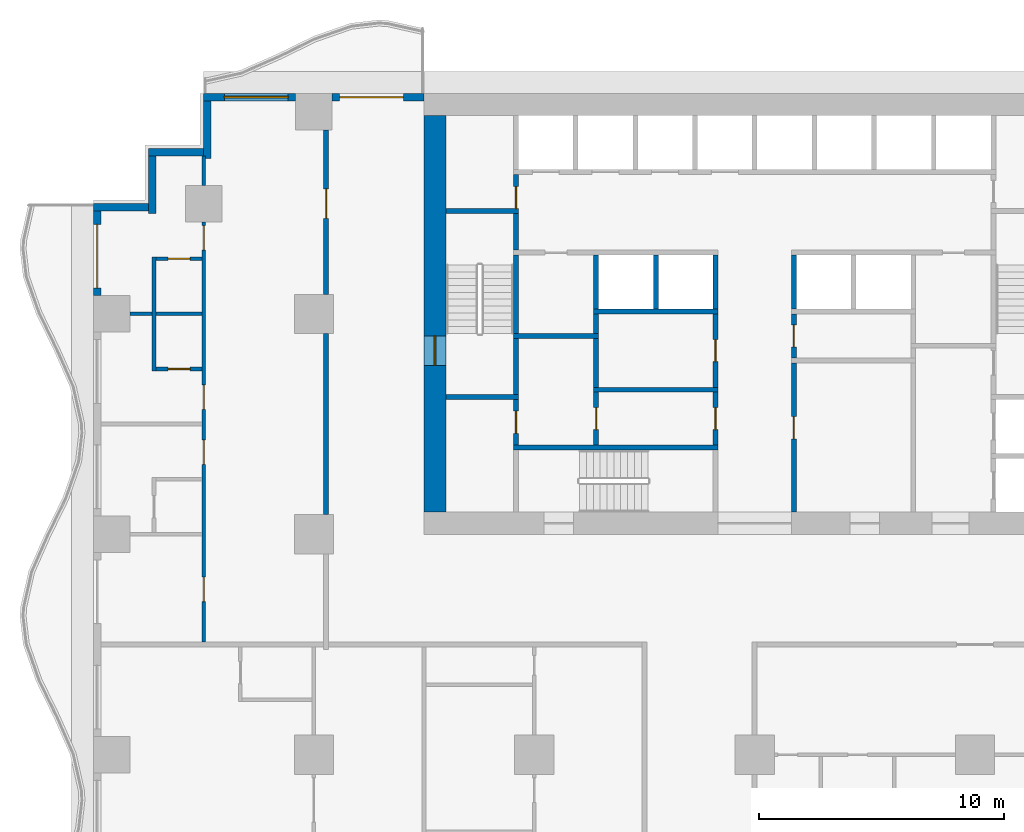
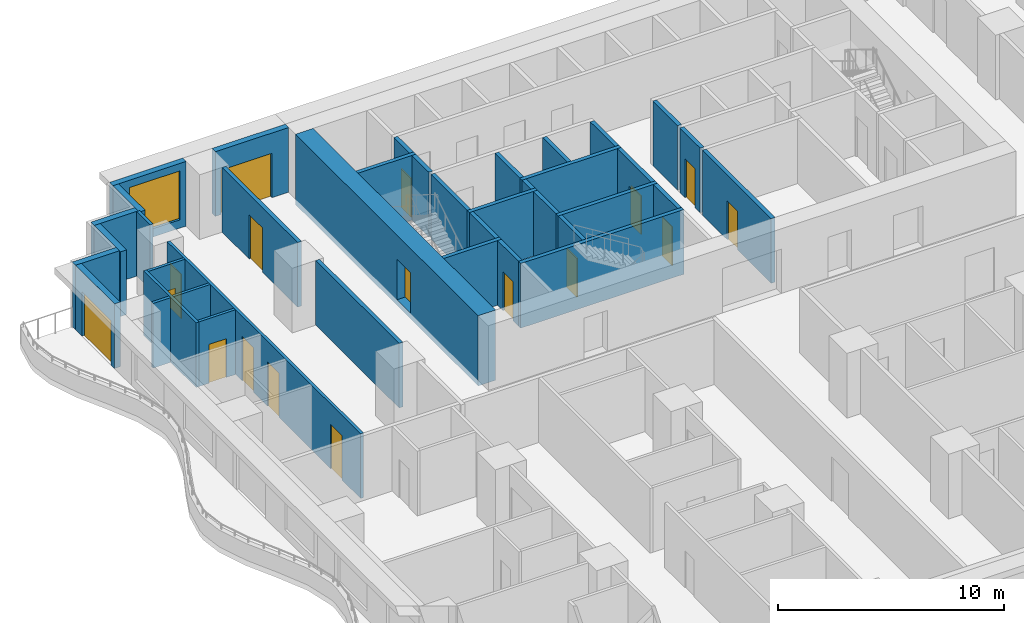
# One storey, part 5 of 14: 39 walls, 17 doors, 1 window, 18 openings.
"""IFC4 building model written with IfcOpenShell, lengths in metres."""

from ifc_helpers import new_model, si_unit, direction, frame, frame_2d, origin, place, context, subcontext, project, spatial, rectangle, extrude, material, layer, layer_set, type_object, element, fill, save


model = new_model("IFC4")

# Units and contexts
model_context = context("Model", 3, precision=1e-05, world=origin(), true_north=direction((0.0, 1.0)))
body_context = subcontext(model_context, "Body", "Model", "MODEL_VIEW")
ifc_project = project(units=[si_unit("LENGTHUNIT", "METRE"), si_unit("AREAUNIT", "SQUARE_METRE"), si_unit("VOLUMEUNIT", "CUBIC_METRE"), si_unit("PLANEANGLEUNIT", "RADIAN"), si_unit("MASSUNIT", "GRAM", prefix="KILO")], contexts=[model_context])

# Site, building, storey
site_placement = place(None, origin())
site = spatial("IfcSite", under=ifc_project, at=site_placement, CompositionType="ELEMENT")
building_placement = place(site_placement, origin())
building = spatial("IfcBuilding", under=site, at=building_placement, Name="Orbiselva Terraces", CompositionType="ELEMENT")
storey_placement = place(building_placement, frame((0.0, 0.0, 18.8)))
storey = spatial("IfcBuildingStorey", under=building, at=storey_placement, Name="L04", CompositionType="ELEMENT", Elevation=18.8)

# Wall, opening, door
ifc_material_1 = material(Name="Concrete C80/95", Category="concrete")
ifc_layer_1 = layer(ifc_material_1, 0.9)
ifc_layer_set_1 = layer_set([ifc_layer_1], Name="Concrete C80/95")
wall_type_1 = type_object("IfcWallType", Name="CORE WALL 900", PredefinedType="SHEAR", material=ifc_layer_set_1)
wall_1_placement = place(storey_placement, frame((-13.05, 21.6, -0.3), z_axis=(0.0, 0.0, 1.0), x_axis=(0.0, -1.0, 0.0)))
wall_1 = element("IfcWall", 1, at=wall_1_placement, inside=storey, type_object=wall_type_1, Name="Core wall L04 west", PredefinedType="SHEAR", context=body_context, shape_type="SweptSolid", body=[
    extrude(rectangle(XDim=16.2, YDim=0.9, at=frame_2d((8.1, 0.0))), origin(), (0.0, 0.0, 1.0), 3.8),
])
opening_1_placement = place(wall_1_placement, frame((9.0, 0.0, 0.3)))
opening_1 = element("IfcOpeningElement", 2, at=opening_1_placement, cuts=wall_1, Name="Opening DS1200", PredefinedType="OPENING", context=body_context, shape_type="SweptSolid", body=[
    extrude(rectangle(XDim=1.2, YDim=2.2, at=frame_2d((0.6, 1.1))), frame((0.0, 0.46, 0.0), z_axis=(0.0, -1.0, 0.0), x_axis=(1.0, 0.0, 0.0)), (0.0, 0.0, 1.0), 0.92),
])
ifc_material_2 = material(Name="Steel fire door", Category="steel")
door_type_1 = type_object("IfcDoorType", Name="STAIR DOOR 1200", OperationType="NOTDEFINED", PredefinedType="DOOR", material=ifc_material_2)
door_1_placement = place(opening_1_placement, frame((1.2, 0.0, 0.0), z_axis=(0.0, 0.0, 1.0), x_axis=(-1.0, 0.0, 0.0)))
door_1 = element("IfcDoor", 3, at=door_1_placement, inside=storey, type_object=door_type_1, Name="L04 EXIT STAIR S1 door", OperationType="SINGLE_SWING_RIGHT", OverallHeight=2.2, OverallWidth=1.2, PredefinedType="DOOR", context=body_context, shape_type="SweptSolid", body=[
    extrude(rectangle(XDim=1.2, YDim=2.2, at=frame_2d((0.6, 1.1))), frame((0.0, 0.025, 0.0), z_axis=(0.0, -1.0, 0.0), x_axis=(1.0, 0.0, 0.0)), (0.0, 0.0, 1.0), 0.05),
])
fill(opening_1, door_1)

ifc_material_3 = material(Name="Masonry blockwork", Category="masonry")
ifc_layer_2 = layer(ifc_material_3, 0.2)
ifc_layer_set_2 = layer_set([ifc_layer_2], Name="Masonry blockwork")
wall_type_2 = type_object("IfcWallType", Name="CORE-WALL-PARTITION-200", PredefinedType="PARTITIONING", material=ifc_layer_set_2)
wall_2_placement = place(storey_placement, frame((-9.75, 8.15, 0.0), z_axis=(0.0, 0.0, 1.0), x_axis=(0.0, 1.0, 0.0)))
wall_2 = element("IfcWall", 4, at=wall_2_placement, inside=storey, type_object=wall_type_2, Name="L04 core wall 05", PredefinedType="PARTITIONING", context=body_context, shape_type="SweptSolid", body=[
    extrude(rectangle(XDim=1.85, YDim=0.2, at=frame_2d((0.925, 0.0))), origin(), (0.0, 0.0, 1.0), 3.5),
])
opening_2_placement = place(wall_2_placement, frame((0.475, 0.0, 0.0)))
opening_2 = element("IfcOpeningElement", 5, at=opening_2_placement, cuts=wall_2, Name="Opening DR900", PredefinedType="OPENING", context=body_context, shape_type="SweptSolid", body=[
    extrude(rectangle(XDim=0.9, YDim=2.1, at=frame_2d((0.45, 1.05))), frame((0.0, 0.11, 0.0), z_axis=(0.0, -1.0, 0.0), x_axis=(1.0, 0.0, 0.0)), (0.0, 0.0, 1.0), 0.22),
])
door_type_2 = type_object("IfcDoorType", Name="ROOM DOOR 900", OperationType="NOTDEFINED", PredefinedType="DOOR", material=ifc_material_2)
door_2_placement = place(opening_2_placement, origin())
door_2 = element("IfcDoor", 6, at=door_2_placement, inside=storey, type_object=door_type_2, Name="L04 CLEANERS STORE door", OperationType="SINGLE_SWING_RIGHT", OverallHeight=2.1, OverallWidth=0.9, PredefinedType="DOOR", context=body_context, shape_type="SweptSolid", body=[
    extrude(rectangle(XDim=0.9, YDim=2.1, at=frame_2d((0.45, 1.05))), frame((0.0, 0.025, 0.0), z_axis=(0.0, -1.0, 0.0), x_axis=(1.0, 0.0, 0.0)), (0.0, 0.0, 1.0), 0.05),
])
fill(opening_2, door_2)

wall_3_placement = place(storey_placement, frame((-9.75, 17.8, 0.0), z_axis=(0.0, 0.0, 1.0), x_axis=(0.0, 1.0, 0.0)))
wall_3 = element("IfcWall", 7, at=wall_3_placement, inside=storey, type_object=wall_type_2, Name="L04 core wall 11", PredefinedType="PARTITIONING", context=body_context, shape_type="SweptSolid", body=[
    extrude(rectangle(XDim=1.4, YDim=0.2, at=frame_2d((0.7, 0.0))), origin(), (0.0, 0.0, 1.0), 3.5),
])
opening_3_placement = place(wall_3_placement, origin())
opening_3 = element("IfcOpeningElement", 8, at=opening_3_placement, cuts=wall_3, Name="Opening DR900", PredefinedType="OPENING", context=body_context, shape_type="SweptSolid", body=[
    extrude(rectangle(XDim=0.9, YDim=2.1, at=frame_2d((0.45, 1.05))), frame((0.0, 0.11, 0.0), z_axis=(0.0, -1.0, 0.0), x_axis=(1.0, 0.0, 0.0)), (0.0, 0.0, 1.0), 0.22),
])
door_3_placement = place(opening_3_placement, origin())
door_3 = element("IfcDoor", 9, at=door_3_placement, inside=storey, type_object=door_type_2, Name="L04 ELECTRICAL RISER ROOM door", OperationType="SINGLE_SWING_LEFT", OverallHeight=2.1, OverallWidth=0.9, PredefinedType="DOOR", context=body_context, shape_type="SweptSolid", body=[
    extrude(rectangle(XDim=0.9, YDim=2.1, at=frame_2d((0.45, 1.05))), frame((0.0, 0.025, 0.0), z_axis=(0.0, -1.0, 0.0), x_axis=(1.0, 0.0, 0.0)), (0.0, 0.0, 1.0), 0.05),
])
fill(opening_3, door_3)

wall_4_placement = place(storey_placement, frame((-6.475, 8.15, 0.0), z_axis=(0.0, 0.0, 1.0), x_axis=(0.0, 1.0, 0.0)))
wall_4 = element("IfcWall", 10, at=wall_4_placement, inside=storey, type_object=wall_type_2, Name="L04 core wall 15", PredefinedType="PARTITIONING", context=body_context, shape_type="SweptSolid", body=[
    extrude(rectangle(XDim=2.15, YDim=0.2, at=frame_2d((1.075, 0.0))), origin(), (0.0, 0.0, 1.0), 3.5),
])
opening_4_placement = place(wall_4_placement, frame((0.625, 0.0, 0.0)))
opening_4 = element("IfcOpeningElement", 11, at=opening_4_placement, cuts=wall_4, Name="Opening DR900", PredefinedType="OPENING", context=body_context, shape_type="SweptSolid", body=[
    extrude(rectangle(XDim=0.9, YDim=2.1, at=frame_2d((0.45, 1.05))), frame((0.0, 0.11, 0.0), z_axis=(0.0, -1.0, 0.0), x_axis=(1.0, 0.0, 0.0)), (0.0, 0.0, 1.0), 0.22),
])
door_4_placement = place(opening_4_placement, origin())
door_4 = element("IfcDoor", 12, at=door_4_placement, inside=storey, type_object=door_type_2, Name="L04 STAFF ROOM door", OperationType="SINGLE_SWING_LEFT", OverallHeight=2.1, OverallWidth=0.9, PredefinedType="DOOR", context=body_context, shape_type="SweptSolid", body=[
    extrude(rectangle(XDim=0.9, YDim=2.1, at=frame_2d((0.45, 1.05))), frame((0.0, 0.025, 0.0), z_axis=(0.0, -1.0, 0.0), x_axis=(1.0, 0.0, 0.0)), (0.0, 0.0, 1.0), 0.05),
])
fill(opening_4, door_4)

# Walls
wall_5_placement = place(storey_placement, frame((-6.475, 10.5, 0.0), z_axis=(0.0, 0.0, 1.0), x_axis=(0.0, 1.0, 0.0)))
element("IfcWall", 13, at=wall_5_placement, inside=storey, type_object=wall_type_2, Name="L04 core wall 17", PredefinedType="PARTITIONING", context=body_context, shape_type="SweptSolid", body=[
    extrude(rectangle(XDim=2.0, YDim=0.2, at=frame_2d((1.0, 0.0))), origin(), (0.0, 0.0, 1.0), 3.5),
])
wall_6_placement = place(storey_placement, frame((-6.475, 12.7, 0.0), z_axis=(0.0, 0.0, 1.0), x_axis=(0.0, 1.0, 0.0)))
element("IfcWall", 14, at=wall_6_placement, inside=storey, type_object=wall_type_2, Name="L04 core wall 18", PredefinedType="PARTITIONING", context=body_context, shape_type="SweptSolid", body=[
    extrude(rectangle(XDim=0.8, YDim=0.2, at=frame_2d((0.4, 0.0))), origin(), (0.0, 0.0, 1.0), 3.5),
])

# Wall, opening, door
wall_7_placement = place(storey_placement, frame((-1.6, 8.15, 0.0), z_axis=(0.0, 0.0, 1.0), x_axis=(0.0, 1.0, 0.0)))
wall_7 = element("IfcWall", 15, at=wall_7_placement, inside=storey, type_object=wall_type_2, Name="L04 core wall 25", PredefinedType="PARTITIONING", context=body_context, shape_type="SweptSolid", body=[
    extrude(rectangle(XDim=2.15, YDim=0.2, at=frame_2d((1.075, 0.0))), origin(), (0.0, 0.0, 1.0), 3.5),
])
opening_5_placement = place(wall_7_placement, frame((0.625, 0.0, 0.0)))
opening_5 = element("IfcOpeningElement", 16, at=opening_5_placement, cuts=wall_7, Name="Opening DR900", PredefinedType="OPENING", context=body_context, shape_type="SweptSolid", body=[
    extrude(rectangle(XDim=0.9, YDim=2.1, at=frame_2d((0.45, 1.05))), frame((0.0, 0.11, 0.0), z_axis=(0.0, -1.0, 0.0), x_axis=(1.0, 0.0, 0.0)), (0.0, 0.0, 1.0), 0.22),
])
door_5_placement = place(opening_5_placement, origin())
door_5 = element("IfcDoor", 17, at=door_5_placement, inside=storey, type_object=door_type_2, Name="L04 SERVICE PANTRY door", OperationType="SINGLE_SWING_LEFT", OverallHeight=2.1, OverallWidth=0.9, PredefinedType="DOOR", context=body_context, shape_type="SweptSolid", body=[
    extrude(rectangle(XDim=0.9, YDim=2.1, at=frame_2d((0.45, 1.05))), frame((0.0, 0.025, 0.0), z_axis=(0.0, -1.0, 0.0), x_axis=(1.0, 0.0, 0.0)), (0.0, 0.0, 1.0), 0.05),
])
fill(opening_5, door_5)

wall_8_placement = place(storey_placement, frame((-1.6, 10.5, 0.0), z_axis=(0.0, 0.0, 1.0), x_axis=(0.0, 1.0, 0.0)))
wall_8 = element("IfcWall", 18, at=wall_8_placement, inside=storey, type_object=wall_type_2, Name="L04 core wall 26", PredefinedType="PARTITIONING", context=body_context, shape_type="SweptSolid", body=[
    extrude(rectangle(XDim=3.0, YDim=0.2, at=frame_2d((1.5, 0.0))), origin(), (0.0, 0.0, 1.0), 3.5),
])
opening_6_placement = place(wall_8_placement, frame((1.05, 0.0, 0.0)))
opening_6 = element("IfcOpeningElement", 19, at=opening_6_placement, cuts=wall_8, Name="Opening DR900", PredefinedType="OPENING", context=body_context, shape_type="SweptSolid", body=[
    extrude(rectangle(XDim=0.9, YDim=2.1, at=frame_2d((0.45, 1.05))), frame((0.0, 0.11, 0.0), z_axis=(0.0, -1.0, 0.0), x_axis=(1.0, 0.0, 0.0)), (0.0, 0.0, 1.0), 0.22),
])
door_6_placement = place(opening_6_placement, origin())
door_6 = element("IfcDoor", 20, at=door_6_placement, inside=storey, type_object=door_type_2, Name="L04 LINEN STORE door", OperationType="SINGLE_SWING_RIGHT", OverallHeight=2.1, OverallWidth=0.9, PredefinedType="DOOR", context=body_context, shape_type="SweptSolid", body=[
    extrude(rectangle(XDim=0.9, YDim=2.1, at=frame_2d((0.45, 1.05))), frame((0.0, 0.025, 0.0), z_axis=(0.0, -1.0, 0.0), x_axis=(1.0, 0.0, 0.0)), (0.0, 0.0, 1.0), 0.05),
])
fill(opening_6, door_6)

wall_9_placement = place(storey_placement, frame((1.6, 13.5, 0.0), z_axis=(0.0, 0.0, 1.0), x_axis=(0.0, -1.0, 0.0)))
wall_9 = element("IfcWall", 21, at=wall_9_placement, inside=storey, type_object=wall_type_2, Name="L04 core wall 31", PredefinedType="PARTITIONING", context=body_context, shape_type="SweptSolid", body=[
    extrude(rectangle(XDim=1.8, YDim=0.2, at=frame_2d((0.9, 0.0))), origin(), (0.0, 0.0, 1.0), 3.5),
])
opening_7_placement = place(wall_9_placement, frame((0.45, 0.0, 0.0)))
opening_7 = element("IfcOpeningElement", 22, at=opening_7_placement, cuts=wall_9, Name="Opening DR900", PredefinedType="OPENING", context=body_context, shape_type="SweptSolid", body=[
    extrude(rectangle(XDim=0.9, YDim=2.1, at=frame_2d((0.45, 1.05))), frame((0.0, 0.11, 0.0), z_axis=(0.0, -1.0, 0.0), x_axis=(1.0, 0.0, 0.0)), (0.0, 0.0, 1.0), 0.22),
])
door_7_placement = place(opening_7_placement, origin())
door_7 = element("IfcDoor", 23, at=door_7_placement, inside=storey, type_object=door_type_2, Name="L04 IT ROOM door", OperationType="SINGLE_SWING_LEFT", OverallHeight=2.1, OverallWidth=0.9, PredefinedType="DOOR", context=body_context, shape_type="SweptSolid", body=[
    extrude(rectangle(XDim=0.9, YDim=2.1, at=frame_2d((0.45, 1.05))), frame((0.0, 0.025, 0.0), z_axis=(0.0, -1.0, 0.0), x_axis=(1.0, 0.0, 0.0)), (0.0, 0.0, 1.0), 0.05),
])
fill(opening_7, door_7)

# Walls
ifc_material_4 = material(Name="Concrete C40/50", Category="concrete")
ifc_layer_3 = layer(ifc_material_4, 0.2)
ifc_layer_set_3 = layer_set([ifc_layer_3], Name="Concrete C40/50")
wall_type_3 = type_object("IfcWallType", Name="CORE-WALL-SHAFT-200", PredefinedType="PARTITIONING", material=ifc_layer_set_3)
for number, where, z_axis, x_axis, name in (
    (24, (-6.475, 13.7, 0.0), (0.0, 0.0, 1.0), (0.0, 1.0, 0.0), "L04 core wall 20"),
    (25, (-4.0375, 13.7, 0.0), (0.0, 0.0, 1.0), (0.0, 1.0, 0.0), "L04 core wall 22"),
    (26, (-1.6, 13.7, 0.0), (0.0, 0.0, 1.0), (0.0, 1.0, 0.0), "L04 core wall 27"),
    (27, (1.6, 13.7, 0.0), (0.0, 0.0, 1.0), (0.0, 1.0, 0.0), "L04 core wall 33"),
):
    element("IfcWall", number, at=place(storey_placement, frame(where, z_axis=z_axis, x_axis=x_axis)), inside=storey, type_object=wall_type_3, Name=name, PredefinedType="PARTITIONING", context=body_context, shape_type="SweptSolid", body=[
        extrude(rectangle(XDim=2.2, YDim=0.2, at=frame_2d((1.1, 0.0))), origin(), (0.0, 0.0, 1.0), 3.5),
    ])
ifc_material_5 = material(Name="Concrete C60/75", Category="concrete")
ifc_layer_4 = layer(ifc_material_5, 0.2)
ifc_layer_set_4 = layer_set([ifc_layer_4], Name="Concrete C60/75")
wall_type_4 = type_object("IfcWallType", Name="CORE-WALL-SHEAR-200", PredefinedType="SHEAR", material=ifc_layer_set_4)
for number, where, z_axis, x_axis, name in (
    (28, (-12.6, 10.1, 0.0), (0.0, 0.0, 1.0), (1.0, 0.0, 0.0), "L04 core wall 01"),
    (29, (-12.6, 17.7, 0.0), (0.0, 0.0, 1.0), (1.0, 0.0, 0.0), "L04 core wall 02"),
):
    element("IfcWall", number, at=place(storey_placement, frame(where, z_axis=z_axis, x_axis=x_axis)), inside=storey, type_object=wall_type_4, Name=name, PredefinedType="SHEAR", context=body_context, shape_type="SweptSolid", body=[
        extrude(rectangle(XDim=2.95, YDim=0.2, at=frame_2d((1.475, 0.0))), origin(), (0.0, 0.0, 1.0), 3.5),
    ])
wall_10_placement = place(storey_placement, frame((-9.85, 8.05, 0.0), z_axis=(0.0, 0.0, 1.0), x_axis=(1.0, 0.0, 0.0)))
element("IfcWall", 30, at=wall_10_placement, inside=storey, type_object=wall_type_4, Name="L04 core wall 04", PredefinedType="SHEAR", context=body_context, shape_type="SweptSolid", body=[
    extrude(rectangle(XDim=8.35, YDim=0.2, at=frame_2d((4.175, 0.0))), origin(), (0.0, 0.0, 1.0), 3.5),
])
wall_11_placement = place(storey_placement, frame((-9.75, 10.2, 0.0), z_axis=(0.0, 0.0, 1.0), x_axis=(0.0, 1.0, 0.0)))
element("IfcWall", 31, at=wall_11_placement, inside=storey, type_object=wall_type_4, Name="L04 core wall 06", PredefinedType="SHEAR", context=body_context, shape_type="SweptSolid", body=[
    extrude(rectangle(XDim=2.3, YDim=0.2, at=frame_2d((1.15, 0.0))), origin(), (0.0, 0.0, 1.0), 3.5),
])
wall_12_placement = place(storey_placement, frame((-9.85, 12.6, 0.0), z_axis=(0.0, 0.0, 1.0), x_axis=(1.0, 0.0, 0.0)))
element("IfcWall", 32, at=wall_12_placement, inside=storey, type_object=wall_type_4, Name="L04 core wall 07", PredefinedType="SHEAR", context=body_context, shape_type="SweptSolid", body=[
    extrude(rectangle(XDim=3.475, YDim=0.2, at=frame_2d((1.7375, 0.0))), origin(), (0.0, 0.0, 1.0), 3.5),
])
wall_13_placement = place(storey_placement, frame((-9.75, 12.7, 0.0), z_axis=(0.0, 0.0, 1.0), x_axis=(0.0, 1.0, 0.0)))
element("IfcWall", 33, at=wall_13_placement, inside=storey, type_object=wall_type_4, Name="L04 core wall 08", PredefinedType="SHEAR", context=body_context, shape_type="SweptSolid", body=[
    extrude(rectangle(XDim=3.2, YDim=0.2, at=frame_2d((1.6, 0.0))), origin(), (0.0, 0.0, 1.0), 3.5),
])
wall_14_placement = place(storey_placement, frame((-9.75, 16.1, 0.0), z_axis=(0.0, 0.0, 1.0), x_axis=(0.0, 1.0, 0.0)))
element("IfcWall", 34, at=wall_14_placement, inside=storey, type_object=wall_type_4, Name="L04 core wall 10", PredefinedType="SHEAR", context=body_context, shape_type="SweptSolid", body=[
    extrude(rectangle(XDim=1.5, YDim=0.2, at=frame_2d((0.75, 0.0))), origin(), (0.0, 0.0, 1.0), 3.5),
])
for number, where, z_axis, x_axis, name in (
    (35, (-6.575, 10.4, 0.0), (0.0, 0.0, 1.0), (1.0, 0.0, 0.0), "L04 core wall 16"),
    (36, (-6.575, 13.6, 0.0), (0.0, 0.0, 1.0), (1.0, 0.0, 0.0), "L04 core wall 19"),
):
    element("IfcWall", number, at=place(storey_placement, frame(where, z_axis=z_axis, x_axis=x_axis)), inside=storey, type_object=wall_type_4, Name=name, PredefinedType="SHEAR", context=body_context, shape_type="SweptSolid", body=[
        extrude(rectangle(XDim=5.075, YDim=0.2, at=frame_2d((2.5375, 0.0))), origin(), (0.0, 0.0, 1.0), 3.5),
    ])

# Wall, opening, door
wall_15_placement = place(storey_placement, frame((1.6, 11.5, 0.0), z_axis=(0.0, 0.0, 1.0), x_axis=(0.0, -1.0, 0.0)))
wall_15 = element("IfcWall", 37, at=wall_15_placement, inside=storey, type_object=wall_type_4, Name="L04 core wall 29", PredefinedType="SHEAR", context=body_context, shape_type="SweptSolid", body=[
    extrude(rectangle(XDim=6.1, YDim=0.2, at=frame_2d((3.05, 0.0))), origin(), (0.0, 0.0, 1.0), 3.5),
])
opening_8_placement = place(wall_15_placement, frame((2.2, 0.0, 0.0)))
opening_8 = element("IfcOpeningElement", 38, at=opening_8_placement, cuts=wall_15, Name="Opening DR900", PredefinedType="OPENING", context=body_context, shape_type="SweptSolid", body=[
    extrude(rectangle(XDim=0.9, YDim=2.1, at=frame_2d((0.45, 1.05))), frame((0.0, 0.11, 0.0), z_axis=(0.0, -1.0, 0.0), x_axis=(1.0, 0.0, 0.0)), (0.0, 0.0, 1.0), 0.22),
])
door_8_placement = place(opening_8_placement, origin())
door_8 = element("IfcDoor", 39, at=door_8_placement, inside=storey, type_object=door_type_2, Name="L04 SERVICE ROOM door", OperationType="SINGLE_SWING_LEFT", OverallHeight=2.1, OverallWidth=0.9, PredefinedType="DOOR", context=body_context, shape_type="SweptSolid", body=[
    extrude(rectangle(XDim=0.9, YDim=2.1, at=frame_2d((0.45, 1.05))), frame((0.0, 0.025, 0.0), z_axis=(0.0, -1.0, 0.0), x_axis=(1.0, 0.0, 0.0)), (0.0, 0.0, 1.0), 0.05),
])
fill(opening_8, door_8)

ifc_material_6 = material(Name="Terracotta cladding on masonry backing", Category="masonry")
ifc_layer_5 = layer(ifc_material_6, 0.3)
ifc_layer_set_5 = layer_set([ifc_layer_5], Name="Terracotta cladding on masonry backing")
wall_type_5 = type_object("IfcWallType", Name="ENV-WALL-TERRACOTTA-300", PredefinedType="SOLIDWALL", material=ifc_layer_set_5)
wall_16_placement = place(storey_placement, frame((-17.25, 22.35, 0.0), z_axis=(0.0, 0.0, 1.0), x_axis=(1.0, 0.0, 0.0)))
wall_16 = element("IfcWall", 40, at=wall_16_placement, inside=storey, type_object=wall_type_5, Name="Facade wall L04 NW", PredefinedType="SOLIDWALL", context=body_context, shape_type="SweptSolid", body=[
    extrude(rectangle(XDim=3.75, YDim=0.3, at=frame_2d((1.875, 0.0))), origin(), (0.0, 0.0, 1.0), 3.5),
])
opening_9_placement = place(wall_16_placement, frame((0.3, 0.0, 0.0)))
opening_9 = element("IfcOpeningElement", 41, at=opening_9_placement, cuts=wall_16, Name="Opening Z1-A-E08", PredefinedType="OPENING", context=body_context, shape_type="SweptSolid", body=[
    extrude(rectangle(XDim=2.6, YDim=2.4, at=frame_2d((1.3, 1.2))), frame((0.0, 0.16, 0.0), z_axis=(0.0, -1.0, 0.0), x_axis=(1.0, 0.0, 0.0)), (0.0, 0.0, 1.0), 0.32),
])
ifc_material_7 = material(Name="Clear low-e glazing in aluminium frame", Category="aluminium")
door_type_3 = type_object("IfcDoorType", Name="BALCONY DOOR 2600 X 2400", OperationType="DOUBLE_DOOR_SLIDING", PredefinedType="DOOR", material=ifc_material_7)
door_9_placement = place(opening_9_placement, origin())
door_9 = element("IfcDoor", 42, at=door_9_placement, inside=storey, type_object=door_type_3, Name="Z1-A-E08", OperationType="SINGLE_SWING_LEFT", OverallHeight=2.4, OverallWidth=2.6, PredefinedType="DOOR", context=body_context, shape_type="SweptSolid", body=[
    extrude(rectangle(XDim=2.6, YDim=2.4, at=frame_2d((1.3, 1.2))), frame((0.0, 0.025, 0.0), z_axis=(0.0, -1.0, 0.0), x_axis=(1.0, 0.0, 0.0)), (0.0, 0.0, 1.0), 0.05),
])
fill(opening_9, door_9)

# Wall, opening, window
wall_17_placement = place(storey_placement, frame((-22.5, 22.35, 0.0), z_axis=(0.0, 0.0, 1.0), x_axis=(1.0, 0.0, 0.0)))
wall_17 = element("IfcWall", 43, at=wall_17_placement, inside=storey, type_object=wall_type_5, Name="Facade wall L04 NW", PredefinedType="SOLIDWALL", context=body_context, shape_type="SweptSolid", body=[
    extrude(rectangle(XDim=3.75, YDim=0.3, at=frame_2d((1.875, 0.0))), origin(), (0.0, 0.0, 1.0), 3.5),
])
opening_10_placement = place(wall_17_placement, frame((0.85, 0.0, 0.45)))
opening_10 = element("IfcOpeningElement", 44, at=opening_10_placement, cuts=wall_17, Name="Opening WN1", PredefinedType="OPENING", context=body_context, shape_type="SweptSolid", body=[
    extrude(rectangle(XDim=2.6, YDim=2.65, at=frame_2d((1.3, 1.325))), frame((0.0, 0.16, 0.0), z_axis=(0.0, -1.0, 0.0), x_axis=(1.0, 0.0, 0.0)), (0.0, 0.0, 1.0), 0.32),
])
window_type = type_object("IfcWindowType", Name="WINDOW 2600 X 2650 S450", PartitioningType="TRIPLE_PANEL_VERTICAL", PredefinedType="WINDOW", material=ifc_material_7)
window_placement = place(opening_10_placement, origin())
window = element("IfcWindow", 45, at=window_placement, inside=storey, type_object=window_type, Name="Window L04 NW", OverallHeight=2.65, OverallWidth=2.6, PartitioningType="SINGLE_PANEL", PredefinedType="WINDOW", context=body_context, shape_type="SweptSolid", body=[
    extrude(rectangle(XDim=2.6, YDim=2.65, at=frame_2d((1.3, 1.325))), frame((0.0, 0.03, 0.0), z_axis=(0.0, -1.0, 0.0), x_axis=(1.0, 0.0, 0.0)), (0.0, 0.0, 1.0), 0.06),
])
fill(opening_10, window)

# Walls
wall_18_placement = place(storey_placement, frame((-22.35, 19.85, 0.0), z_axis=(0.0, 0.0, 1.0), x_axis=(0.0, 1.0, 0.0)))
element("IfcWall", 46, at=wall_18_placement, inside=storey, type_object=wall_type_5, Name="Facade wall L04 STEP", PredefinedType="SOLIDWALL", context=body_context, shape_type="SweptSolid", body=[
    extrude(rectangle(XDim=2.35, YDim=0.3, at=frame_2d((1.175, 0.0))), origin(), (0.0, 0.0, 1.0), 3.5),
])
wall_19_placement = place(storey_placement, frame((-24.75, 20.1, 0.0), z_axis=(0.0, 0.0, 1.0), x_axis=(1.0, 0.0, 0.0)))
element("IfcWall", 47, at=wall_19_placement, inside=storey, type_object=wall_type_5, Name="Facade wall L04 STEP", PredefinedType="SOLIDWALL", context=body_context, shape_type="SweptSolid", body=[
    extrude(rectangle(XDim=2.25, YDim=0.3, at=frame_2d((1.125, 0.0))), origin(), (0.0, 0.0, 1.0), 3.5),
])
wall_20_placement = place(storey_placement, frame((-24.6, 17.6, 0.0), z_axis=(0.0, 0.0, 1.0), x_axis=(0.0, 1.0, 0.0)))
element("IfcWall", 48, at=wall_20_placement, inside=storey, type_object=wall_type_5, Name="Facade wall L04 STEP", PredefinedType="SOLIDWALL", context=body_context, shape_type="SweptSolid", body=[
    extrude(rectangle(XDim=2.35, YDim=0.3, at=frame_2d((1.175, 0.0))), origin(), (0.0, 0.0, 1.0), 3.5),
])
wall_21_placement = place(storey_placement, frame((-27.0, 17.85, 0.0), z_axis=(0.0, 0.0, 1.0), x_axis=(1.0, 0.0, 0.0)))
element("IfcWall", 49, at=wall_21_placement, inside=storey, type_object=wall_type_5, Name="Facade wall L04 STEP", PredefinedType="SOLIDWALL", context=body_context, shape_type="SweptSolid", body=[
    extrude(rectangle(XDim=2.25, YDim=0.3, at=frame_2d((1.125, 0.0))), origin(), (0.0, 0.0, 1.0), 3.5),
])

# Wall, opening, door
wall_22_placement = place(storey_placement, frame((-26.85, 14.25, 0.0), z_axis=(0.0, 0.0, 1.0), x_axis=(0.0, 1.0, 0.0)))
wall_22 = element("IfcWall", 50, at=wall_22_placement, inside=storey, type_object=wall_type_5, Name="Facade wall L04 W", PredefinedType="SOLIDWALL", context=body_context, shape_type="SweptSolid", body=[
    extrude(rectangle(XDim=3.45, YDim=0.3, at=frame_2d((1.725, 0.0))), origin(), (0.0, 0.0, 1.0), 3.5),
])
opening_11_placement = place(wall_22_placement, frame((0.3, 0.0, 0.0)))
opening_11 = element("IfcOpeningElement", 51, at=opening_11_placement, cuts=wall_22, Name="Opening Z1-A-E09", PredefinedType="OPENING", context=body_context, shape_type="SweptSolid", body=[
    extrude(rectangle(XDim=2.6, YDim=2.4, at=frame_2d((1.3, 1.2))), frame((0.0, 0.16, 0.0), z_axis=(0.0, -1.0, 0.0), x_axis=(1.0, 0.0, 0.0)), (0.0, 0.0, 1.0), 0.32),
])
door_10_placement = place(opening_11_placement, origin())
door_10 = element("IfcDoor", 52, at=door_10_placement, inside=storey, type_object=door_type_3, Name="Z1-A-E09", OperationType="SINGLE_SWING_LEFT", OverallHeight=2.4, OverallWidth=2.6, PredefinedType="DOOR", context=body_context, shape_type="SweptSolid", body=[
    extrude(rectangle(XDim=2.6, YDim=2.4, at=frame_2d((1.3, 1.2))), frame((0.0, 0.025, 0.0), z_axis=(0.0, -1.0, 0.0), x_axis=(1.0, 0.0, 0.0)), (0.0, 0.0, 1.0), 0.05),
])
fill(opening_11, door_10)

# Wall
ifc_material_8 = material(Name="Plasterboard on steel stud partition", Category="steel")
ifc_layer_6 = layer(ifc_material_8, 0.2)
ifc_layer_set_6 = layer_set([ifc_layer_6], Name="Plasterboard on steel stud partition")
wall_type_6 = type_object("IfcWallType", Name="UNIT-ENTRANCE-WALL-200", PredefinedType="PARTITIONING", material=ifc_layer_set_6)
wall_23_placement = place(storey_placement, frame((-17.5, 5.3, 0.0), z_axis=(0.0, 0.0, 1.0), x_axis=(0.0, 1.0, 0.0)))
element("IfcWall", 53, at=wall_23_placement, inside=storey, type_object=wall_type_6, Name="PARTITION L04-058", PredefinedType="PARTITIONING", context=body_context, shape_type="SweptSolid", body=[
    extrude(rectangle(XDim=7.4, YDim=0.2, at=frame_2d((3.7, 0.0))), origin(), (0.0, 0.0, 1.0), 3.5),
])

# Wall, opening, door
wall_24_placement = place(storey_placement, frame((-17.5, 14.3, 0.0), z_axis=(0.0, 0.0, 1.0), x_axis=(0.0, 1.0, 0.0)))
wall_24 = element("IfcWall", 54, at=wall_24_placement, inside=storey, type_object=wall_type_6, Name="PARTITION L04-059", PredefinedType="PARTITIONING", context=body_context, shape_type="SweptSolid", body=[
    extrude(rectangle(XDim=6.7, YDim=0.2, at=frame_2d((3.35, 0.0))), origin(), (0.0, 0.0, 1.0), 3.5),
])
opening_12_placement = place(wall_24_placement, frame((3.1, 0.0, 0.0)))
opening_12 = element("IfcOpeningElement", 55, at=opening_12_placement, cuts=wall_24, Name="Opening Z1-A-01", PredefinedType="OPENING", context=body_context, shape_type="SweptSolid", body=[
    extrude(rectangle(XDim=1.2, YDim=2.4, at=frame_2d((0.6, 1.2))), frame((0.0, 0.11, 0.0), z_axis=(0.0, -1.0, 0.0), x_axis=(1.0, 0.0, 0.0)), (0.0, 0.0, 1.0), 0.22),
])
ifc_material_9 = material(Name="Painted timber door leaf", Category="wood")
door_type_4 = type_object("IfcDoorType", Name="ENTRANCE DOOR 1200", OperationType="NOTDEFINED", PredefinedType="DOOR", material=ifc_material_9)
door_11_placement = place(opening_12_placement, origin())
door_11 = element("IfcDoor", 56, at=door_11_placement, inside=storey, type_object=door_type_4, Name="Z1-A-01", OperationType="SINGLE_SWING_RIGHT", OverallHeight=2.4, OverallWidth=1.2, PredefinedType="DOOR", context=body_context, shape_type="SweptSolid", body=[
    extrude(rectangle(XDim=1.2, YDim=2.4, at=frame_2d((0.6, 1.2))), frame((0.0, 0.025, 0.0), z_axis=(0.0, -1.0, 0.0), x_axis=(1.0, 0.0, 0.0)), (0.0, 0.0, 1.0), 0.05),
])
fill(opening_12, door_11)

ifc_layer_7 = layer(ifc_material_8, 0.15)
ifc_layer_set_7 = layer_set([ifc_layer_7], Name="Plasterboard on steel stud partition")
wall_type_7 = type_object("IfcWallType", Name="UNIT-PARTITION-150", PredefinedType="PARTITIONING", material=ifc_layer_set_7)
wall_25_placement = place(storey_placement, frame((-24.45, 11.25, 0.0), z_axis=(0.0, 0.0, 1.0), x_axis=(1.0, 0.0, 0.0)))
wall_25 = element("IfcWall", 57, at=wall_25_placement, inside=storey, type_object=wall_type_7, Name="PARTITION L04-039", PredefinedType="PARTITIONING", context=body_context, shape_type="SweptSolid", body=[
    extrude(rectangle(XDim=1.875, YDim=0.15, at=frame_2d((0.9375, 0.0))), origin(), (0.0, 0.0, 1.0), 3.5),
])
opening_13_placement = place(wall_25_placement, frame((0.5, 0.0, 0.0)))
opening_13 = element("IfcOpeningElement", 58, at=opening_13_placement, cuts=wall_25, Name="Opening Z1-A-06", PredefinedType="OPENING", context=body_context, shape_type="SweptSolid", body=[
    extrude(rectangle(XDim=0.9, YDim=2.1, at=frame_2d((0.45, 1.05))), frame((0.0, 0.085, 0.0), z_axis=(0.0, -1.0, 0.0), x_axis=(1.0, 0.0, 0.0)), (0.0, 0.0, 1.0), 0.17),
])
door_type_5 = type_object("IfcDoorType", Name="BATH DOOR 900", OperationType="NOTDEFINED", PredefinedType="DOOR", material=ifc_material_9)
door_12_placement = place(opening_13_placement, origin())
door_12 = element("IfcDoor", 59, at=door_12_placement, inside=storey, type_object=door_type_5, Name="Z1-A-06", OperationType="SINGLE_SWING_RIGHT", OverallHeight=2.1, OverallWidth=0.9, PredefinedType="DOOR", context=body_context, shape_type="SweptSolid", body=[
    extrude(rectangle(XDim=0.9, YDim=2.1, at=frame_2d((0.45, 1.05))), frame((0.0, 0.025, 0.0), z_axis=(0.0, -1.0, 0.0), x_axis=(1.0, 0.0, 0.0)), (0.0, 0.0, 1.0), 0.05),
])
fill(opening_13, door_12)

# Walls
wall_26_placement = place(storey_placement, frame((-25.5, 13.5, 0.0), z_axis=(0.0, 0.0, 1.0), x_axis=(1.0, 0.0, 0.0)))
element("IfcWall", 60, at=wall_26_placement, inside=storey, type_object=wall_type_7, Name="PARTITION L04-041", PredefinedType="PARTITIONING", context=body_context, shape_type="SweptSolid", body=[
    extrude(rectangle(XDim=0.9, YDim=0.15, at=frame_2d((0.45, 0.0))), origin(), (0.0, 0.0, 1.0), 3.5),
])
wall_27_placement = place(storey_placement, frame((-24.45, 13.5, 0.0), z_axis=(0.0, 0.0, 1.0), x_axis=(1.0, 0.0, 0.0)))
element("IfcWall", 61, at=wall_27_placement, inside=storey, type_object=wall_type_7, Name="PARTITION L04-042", PredefinedType="PARTITIONING", context=body_context, shape_type="SweptSolid", body=[
    extrude(rectangle(XDim=1.875, YDim=0.15, at=frame_2d((0.9375, 0.0))), origin(), (0.0, 0.0, 1.0), 3.5),
])

# Wall, opening, door
wall_28_placement = place(storey_placement, frame((-22.575, 15.75, 0.0), z_axis=(0.0, 0.0, 1.0), x_axis=(-1.0, 0.0, 0.0)))
wall_28 = element("IfcWall", 62, at=wall_28_placement, inside=storey, type_object=wall_type_7, Name="PARTITION L04-045", PredefinedType="PARTITIONING", context=body_context, shape_type="SweptSolid", body=[
    extrude(rectangle(XDim=1.875, YDim=0.15, at=frame_2d((0.9375, 0.0))), origin(), (0.0, 0.0, 1.0), 3.5),
])
opening_14_placement = place(wall_28_placement, frame((0.475, 0.0, 0.0)))
opening_14 = element("IfcOpeningElement", 63, at=opening_14_placement, cuts=wall_28, Name="Opening Z1-A-08", PredefinedType="OPENING", context=body_context, shape_type="SweptSolid", body=[
    extrude(rectangle(XDim=0.9, YDim=2.1, at=frame_2d((0.45, 1.05))), frame((0.0, 0.085, 0.0), z_axis=(0.0, -1.0, 0.0), x_axis=(1.0, 0.0, 0.0)), (0.0, 0.0, 1.0), 0.17),
])
door_13_placement = place(opening_14_placement, origin())
door_13 = element("IfcDoor", 64, at=door_13_placement, inside=storey, type_object=door_type_5, Name="Z1-A-08", OperationType="SINGLE_SWING_LEFT", OverallHeight=2.1, OverallWidth=0.9, PredefinedType="DOOR", context=body_context, shape_type="SweptSolid", body=[
    extrude(rectangle(XDim=0.9, YDim=2.1, at=frame_2d((0.45, 1.05))), frame((0.0, 0.025, 0.0), z_axis=(0.0, -1.0, 0.0), x_axis=(1.0, 0.0, 0.0)), (0.0, 0.0, 1.0), 0.05),
])
fill(opening_14, door_13)

# Wall
wall_29_placement = place(storey_placement, frame((-24.525, 11.175, 0.0), z_axis=(0.0, 0.0, 1.0), x_axis=(0.0, 1.0, 0.0)))
element("IfcWall", 65, at=wall_29_placement, inside=storey, type_object=wall_type_7, Name="PARTITION L04-048", PredefinedType="PARTITIONING", context=body_context, shape_type="SweptSolid", body=[
    extrude(rectangle(XDim=4.65, YDim=0.15, at=frame_2d((2.325, 0.0))), origin(), (0.0, 0.0, 1.0), 3.5),
])

# Wall, openings, doors
wall_30_placement = place(storey_placement, frame((-22.5, 0.1, 0.0), z_axis=(0.0, 0.0, 1.0), x_axis=(0.0, 1.0, 0.0)))
wall_30 = element("IfcWall", 66, at=wall_30_placement, inside=storey, type_object=wall_type_7, Name="PARTITION L04-049", PredefinedType="PARTITIONING", context=body_context, shape_type="SweptSolid", body=[
    extrude(rectangle(XDim=17.15, YDim=0.15, at=frame_2d((8.575, 0.0))), origin(), (0.0, 0.0, 1.0), 3.5),
])
opening_15_placement = place(wall_30_placement, frame((1.65, 0.0, 0.0)))
opening_15 = element("IfcOpeningElement", 67, at=opening_15_placement, cuts=wall_30, Name="Opening Z1-A-02", PredefinedType="OPENING", context=body_context, shape_type="SweptSolid", body=[
    extrude(rectangle(XDim=1.0, YDim=2.4, at=frame_2d((0.5, 1.2))), frame((0.0, 0.085, 0.0), z_axis=(0.0, -1.0, 0.0), x_axis=(1.0, 0.0, 0.0)), (0.0, 0.0, 1.0), 0.17),
])
opening_16_placement = place(wall_30_placement, frame((7.25, 0.0, 0.0)))
opening_16 = element("IfcOpeningElement", 68, at=opening_16_placement, cuts=wall_30, Name="Opening Z1-A-03", PredefinedType="OPENING", context=body_context, shape_type="SweptSolid", body=[
    extrude(rectangle(XDim=1.0, YDim=2.4, at=frame_2d((0.5, 1.2))), frame((0.0, 0.085, 0.0), z_axis=(0.0, -1.0, 0.0), x_axis=(1.0, 0.0, 0.0)), (0.0, 0.0, 1.0), 0.17),
])
opening_17_placement = place(wall_30_placement, frame((9.5, 0.0, 0.0)))
opening_17 = element("IfcOpeningElement", 69, at=opening_17_placement, cuts=wall_30, Name="Opening Z1-A-05", PredefinedType="OPENING", context=body_context, shape_type="SweptSolid", body=[
    extrude(rectangle(XDim=1.0, YDim=2.4, at=frame_2d((0.5, 1.2))), frame((0.0, 0.085, 0.0), z_axis=(0.0, -1.0, 0.0), x_axis=(1.0, 0.0, 0.0)), (0.0, 0.0, 1.0), 0.17),
])
opening_18_placement = place(wall_30_placement, frame((16.0, 0.0, 0.0)))
opening_18 = element("IfcOpeningElement", 70, at=opening_18_placement, cuts=wall_30, Name="Opening Z1-A-07", PredefinedType="OPENING", context=body_context, shape_type="SweptSolid", body=[
    extrude(rectangle(XDim=1.0, YDim=2.4, at=frame_2d((0.5, 1.2))), frame((0.0, 0.085, 0.0), z_axis=(0.0, -1.0, 0.0), x_axis=(1.0, 0.0, 0.0)), (0.0, 0.0, 1.0), 0.17),
])
door_type_6 = type_object("IfcDoorType", Name="ROOM DOOR 1000", OperationType="NOTDEFINED", PredefinedType="DOOR", material=ifc_material_9)
door_14_placement = place(opening_15_placement, origin())
door_14 = element("IfcDoor", 71, at=door_14_placement, inside=storey, type_object=door_type_6, Name="Z1-A-02", OperationType="SINGLE_SWING_LEFT", OverallHeight=2.4, OverallWidth=1.0, PredefinedType="DOOR", context=body_context, shape_type="SweptSolid", body=[
    extrude(rectangle(XDim=1.0, YDim=2.4, at=frame_2d((0.5, 1.2))), frame((0.0, 0.025, 0.0), z_axis=(0.0, -1.0, 0.0), x_axis=(1.0, 0.0, 0.0)), (0.0, 0.0, 1.0), 0.05),
])
fill(opening_15, door_14)
door_15_placement = place(opening_16_placement, origin())
door_15 = element("IfcDoor", 72, at=door_15_placement, inside=storey, type_object=door_type_6, Name="Z1-A-03", OperationType="SINGLE_SWING_LEFT", OverallHeight=2.4, OverallWidth=1.0, PredefinedType="DOOR", context=body_context, shape_type="SweptSolid", body=[
    extrude(rectangle(XDim=1.0, YDim=2.4, at=frame_2d((0.5, 1.2))), frame((0.0, 0.025, 0.0), z_axis=(0.0, -1.0, 0.0), x_axis=(1.0, 0.0, 0.0)), (0.0, 0.0, 1.0), 0.05),
])
fill(opening_16, door_15)
door_16_placement = place(opening_17_placement, origin())
door_16 = element("IfcDoor", 73, at=door_16_placement, inside=storey, type_object=door_type_6, Name="Z1-A-05", OperationType="SINGLE_SWING_RIGHT", OverallHeight=2.4, OverallWidth=1.0, PredefinedType="DOOR", context=body_context, shape_type="SweptSolid", body=[
    extrude(rectangle(XDim=1.0, YDim=2.4, at=frame_2d((0.5, 1.2))), frame((0.0, 0.025, 0.0), z_axis=(0.0, -1.0, 0.0), x_axis=(1.0, 0.0, 0.0)), (0.0, 0.0, 1.0), 0.05),
])
fill(opening_17, door_16)
door_17_placement = place(opening_18_placement, origin())
door_17 = element("IfcDoor", 74, at=door_17_placement, inside=storey, type_object=door_type_6, Name="Z1-A-07", OperationType="SINGLE_SWING_RIGHT", OverallHeight=2.4, OverallWidth=1.0, PredefinedType="DOOR", context=body_context, shape_type="SweptSolid", body=[
    extrude(rectangle(XDim=1.0, YDim=2.4, at=frame_2d((0.5, 1.2))), frame((0.0, 0.025, 0.0), z_axis=(0.0, -1.0, 0.0), x_axis=(1.0, 0.0, 0.0)), (0.0, 0.0, 1.0), 0.05),
])
fill(opening_18, door_17)

# Wall
wall_31_placement = place(storey_placement, frame((-22.5, 18.75, 0.0), z_axis=(0.0, 0.0, 1.0), x_axis=(0.0, 1.0, 0.0)))
element("IfcWall", 75, at=wall_31_placement, inside=storey, type_object=wall_type_7, Name="PARTITION L04-050", PredefinedType="PARTITIONING", context=body_context, shape_type="SweptSolid", body=[
    extrude(rectangle(XDim=1.2, YDim=0.15, at=frame_2d((0.6, 0.0))), origin(), (0.0, 0.0, 1.0), 3.5),
])

save(model, "model.ifc")
